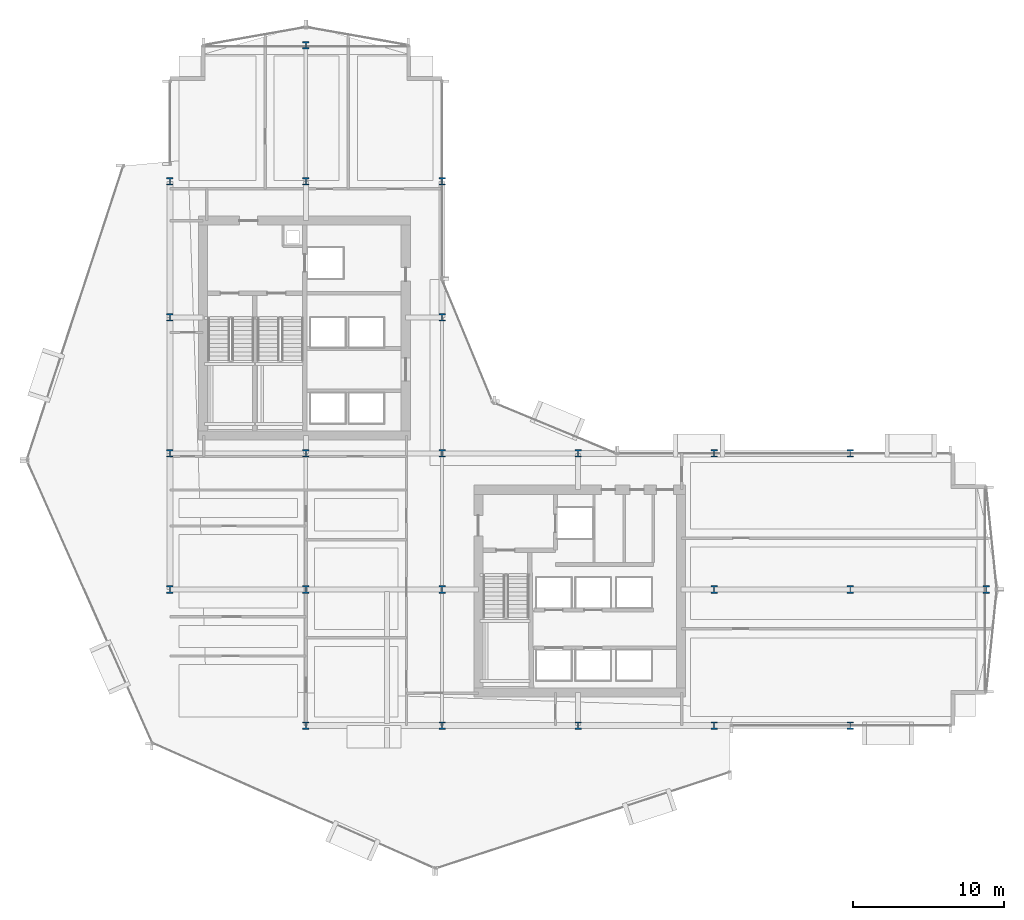
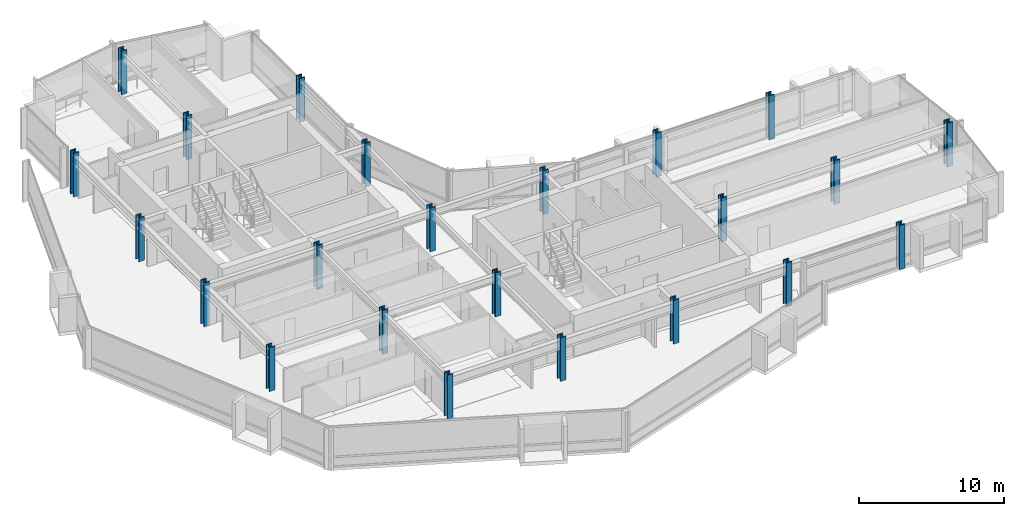
# One storey, part 1 of 34: 23 columns.
"""IFC4 building model written with IfcOpenShell, lengths in metres."""

from ifc_helpers import new_model, si_unit, direction, frame, origin, origin_2d, place, context, subcontext, project, spatial, i_section, extrude, material, material_profile, profile_set, type_object, element, save


model = new_model("IFC4")

# Units and contexts
model_context = context("Model", 3, precision=1e-05, world=origin(), true_north=direction((0.0, 1.0)))
body_context = subcontext(model_context, "Body", "Model", "MODEL_VIEW")
ifc_project = project(units=[si_unit("LENGTHUNIT", "METRE"), si_unit("AREAUNIT", "SQUARE_METRE"), si_unit("VOLUMEUNIT", "CUBIC_METRE"), si_unit("PLANEANGLEUNIT", "RADIAN"), si_unit("MASSUNIT", "GRAM", prefix="KILO")], contexts=[model_context])

# Site, building, storey
site_placement = place(None, origin())
site = spatial("IfcSite", under=ifc_project, at=site_placement, CompositionType="ELEMENT")
building_placement = place(site_placement, origin())
building = spatial("IfcBuilding", under=site, at=building_placement, Name="Solvaryn Broadcast Tower", CompositionType="ELEMENT")
storey_placement = place(building_placement, frame((0.0, 0.0, 36.0)))
storey = spatial("IfcBuildingStorey", under=building, at=storey_placement, Name="L07", CompositionType="ELEMENT", Elevation=36.0)

# Columns
ifc_material_1 = material(Name="Steel ASTM A913 Grade 65", Category="steel")
ifc_material_profile_1 = material_profile(ifc_material_1, i_section(OverallWidth=0.431884765625, OverallDepth=0.498046875, WebThickness=0.0556640625, FlangeThickness=0.0888671875, FilletRadius=0.014892578125, at=origin_2d()))
ifc_profile_set_1 = profile_set([ifc_material_profile_1], Name="Steel ASTM A913 Grade 65")
column_type_1 = type_object("IfcColumnType", Name="COL-C03E-W14X500", PredefinedType="COLUMN", material=ifc_profile_set_1)
for number, where, z_axis, x_axis, name in (
    (1, (9.0, 18.0, 0.0), (0.0, 0.0, 1.0), (1.0, 0.0, 0.0), "L07 Column (9.0, 18.0)"),
    (2, (9.0, 27.0, 0.0), (0.0, 0.0, 1.0), (1.0, 0.0, 0.0), "L07 Column (9.0, 27.0)"),
    (3, (9.0, 36.0, 0.0), (0.0, 0.0, 1.0), (1.0, 0.0, 0.0), "L07 Column (9.0, 36.0)"),
    (4, (9.0, 45.0, 0.0), (0.0, 0.0, 1.0), (1.0, 0.0, 0.0), "L07 Column (9.0, 45.0)"),
    (5, (18.0, 9.0, 0.0), (0.0, 0.0, 1.0), (1.0, 0.0, 0.0), "L07 Column (18.0, 9.0)"),
    (6, (18.0, 54.0, 0.0), (0.0, 0.0, 1.0), (1.0, 0.0, 0.0), "L07 Column (18.0, 54.0)"),
    (7, (27.0, 9.0, 0.0), (0.0, 0.0, 1.0), (1.0, 0.0, 0.0), "L07 Column (27.0, 9.0)"),
    (8, (27.0, 36.0, 0.0), (0.0, 0.0, 1.0), (1.0, 0.0, 0.0), "L07 Column (27.0, 36.0)"),
    (9, (27.0, 45.0, 0.0), (0.0, 0.0, 1.0), (1.0, 0.0, 0.0), "L07 Column (27.0, 45.0)"),
    (10, (36.0, 9.0, 0.0), (0.0, 0.0, 1.0), (1.0, 0.0, 0.0), "L07 Column (36.0, 9.0)"),
    (11, (36.0, 27.0, 0.0), (0.0, 0.0, 1.0), (1.0, 0.0, 0.0), "L07 Column (36.0, 27.0)"),
    (12, (45.0, 9.0, 0.0), (0.0, 0.0, 1.0), (1.0, 0.0, 0.0), "L07 Column (45.0, 9.0)"),
    (13, (45.0, 27.0, 0.0), (0.0, 0.0, 1.0), (1.0, 0.0, 0.0), "L07 Column (45.0, 27.0)"),
    (14, (54.0, 9.0, 0.0), (0.0, 0.0, 1.0), (1.0, 0.0, 0.0), "L07 Column (54.0, 9.0)"),
    (15, (54.0, 27.0, 0.0), (0.0, 0.0, 1.0), (1.0, 0.0, 0.0), "L07 Column (54.0, 27.0)"),
    (16, (63.0, 18.0, 0.0), (0.0, 0.0, 1.0), (1.0, 0.0, 0.0), "L07 Column (63.0, 18.0)"),
):
    element("IfcColumn", number, at=place(storey_placement, frame(where, z_axis=z_axis, x_axis=x_axis)), inside=storey, type_object=column_type_1, Name=name, PredefinedType="COLUMN", context=body_context, shape_type="SweptSolid", body=[
        extrude(i_section(OverallWidth=0.431884765625, OverallDepth=0.498046875, WebThickness=0.0556640625, FlangeThickness=0.0888671875, FilletRadius=0.014892578125, at=origin_2d()), origin(), (0.0, 0.0, 1.0), 3.699951171875),
    ])
ifc_material_2 = material(Name="Steel ASTM A913 Grade 65", Category="steel")
ifc_material_profile_2 = material_profile(ifc_material_2, i_section(OverallWidth=0.431884765625, OverallDepth=0.498046875, WebThickness=0.0556640625, FlangeThickness=0.0888671875, FilletRadius=0.014892578125, at=origin_2d()))
ifc_profile_set_2 = profile_set([ifc_material_profile_2], Name="Steel ASTM A913 Grade 65")
column_type_2 = type_object("IfcColumnType", Name="COL-C03I-W14X500", PredefinedType="COLUMN", material=ifc_profile_set_2)
for number, where, z_axis, x_axis, name in (
    (17, (18.0, 18.0, 0.0), (0.0, 0.0, 1.0), (1.0, 0.0, 0.0), "L07 Column (18.0, 18.0)"),
    (18, (18.0, 27.0, 0.0), (0.0, 0.0, 1.0), (1.0, 0.0, 0.0), "L07 Column (18.0, 27.0)"),
    (19, (18.0, 45.0, 0.0), (0.0, 0.0, 1.0), (1.0, 0.0, 0.0), "L07 Column (18.0, 45.0)"),
    (20, (27.0, 18.0, 0.0), (0.0, 0.0, 1.0), (1.0, 0.0, 0.0), "L07 Column (27.0, 18.0)"),
    (21, (27.0, 27.0, 0.0), (0.0, 0.0, 1.0), (1.0, 0.0, 0.0), "L07 Column (27.0, 27.0)"),
    (22, (45.0, 18.0, 0.0), (0.0, 0.0, 1.0), (1.0, 0.0, 0.0), "L07 Column (45.0, 18.0)"),
    (23, (54.0, 18.0, 0.0), (0.0, 0.0, 1.0), (1.0, 0.0, 0.0), "L07 Column (54.0, 18.0)"),
):
    element("IfcColumn", number, at=place(storey_placement, frame(where, z_axis=z_axis, x_axis=x_axis)), inside=storey, type_object=column_type_2, Name=name, PredefinedType="COLUMN", context=body_context, shape_type="SweptSolid", body=[
        extrude(i_section(OverallWidth=0.431884765625, OverallDepth=0.498046875, WebThickness=0.0556640625, FlangeThickness=0.0888671875, FilletRadius=0.014892578125, at=origin_2d()), origin(), (0.0, 0.0, 1.0), 3.699951171875),
    ])

save(model, "model.ifc")
